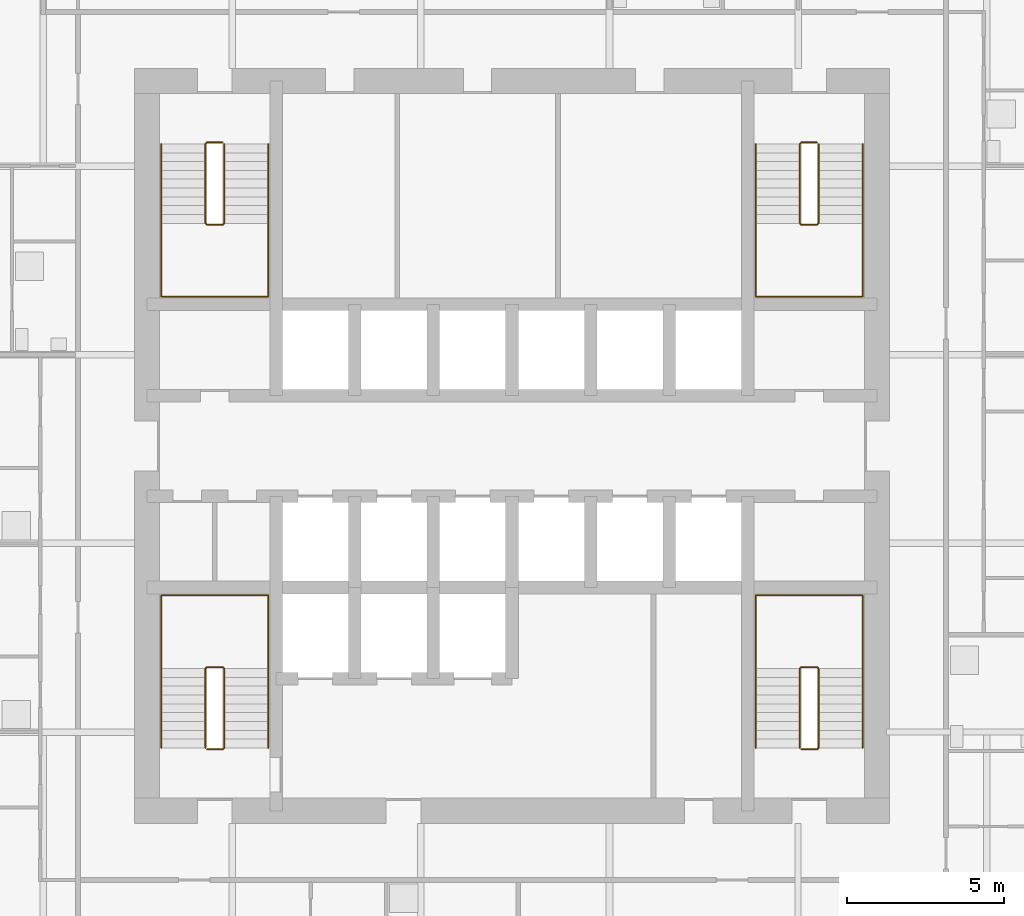
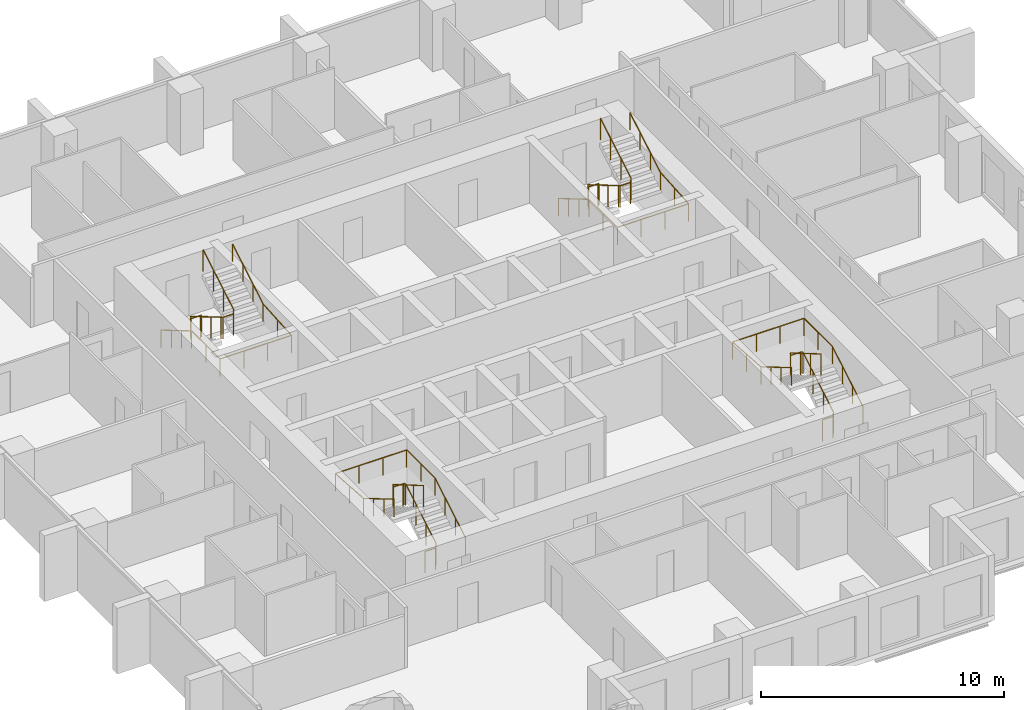
# One storey, part 9 of 10: 8 railings.
"""IFC4 building model written with IfcOpenShell, lengths in metres."""

from ifc_helpers import new_model, si_unit, direction, frame, origin, origin_2d, place, context, subcontext, project, spatial, circle, extrude, material, type_object, element, save


model = new_model("IFC4")

# Units and contexts
model_context = context("Model", 3, precision=1e-05, world=origin(), true_north=direction((0.0, 1.0)))
body_context = subcontext(model_context, "Body", "Model", "MODEL_VIEW")
ifc_project = project(units=[si_unit("LENGTHUNIT", "METRE"), si_unit("AREAUNIT", "SQUARE_METRE"), si_unit("VOLUMEUNIT", "CUBIC_METRE"), si_unit("PLANEANGLEUNIT", "RADIAN"), si_unit("MASSUNIT", "GRAM", prefix="KILO")], contexts=[model_context])

# Site, building, storey
site_placement = place(None, origin())
site = spatial("IfcSite", under=ifc_project, at=site_placement, CompositionType="ELEMENT")
building_placement = place(site_placement, origin())
building = spatial("IfcBuilding", under=site, at=building_placement, Name="Amberfall Residences", CompositionType="ELEMENT")
storey_placement = place(building_placement, frame((0.0, 0.0, 82.0)))
storey = spatial("IfcBuildingStorey", under=building, at=storey_placement, Name="L21", CompositionType="ELEMENT", Elevation=82.0)

# Railings
ifc_material = material(Name="Stainless steel 316", Category="steel")
railing_type_1 = type_object("IfcRailingType", Name="Stair guard 1100", PredefinedType="GUARDRAIL", material=ifc_material)
railing_1_placement = place(storey_placement, frame((64.800048828125, 35.85009765625, 0.0)))
element("IfcRailing", 1, at=railing_1_placement, inside=storey, type_object=railing_type_1, Name="L21 stair 1 guard", PredefinedType="GUARDRAIL", context=body_context, shape_type="SweptSolid", body=[
    extrude(circle(Radius=0.02392578125, at=origin_2d()), frame((0.0, 0.0, 1.076171875), z_axis=(1.0, 0.0, 0.0), x_axis=(0.0, 1.0, 0.0)), (0.0, 0.0, 1.0), 0.5),
    extrude(circle(Radius=0.02392578125, at=origin_2d()), frame((0.5, 0.0, 1.076171875), z_axis=(0.278810427259, 0.277450376394, 0.919394384522), x_axis=(-0.705375805398, 0.708833529934, 0.0)), (0.0, 0.0, 1.0), 0.179443359375),
    extrude(circle(Radius=0.02392578125, at=origin_2d()), frame((0.550048828125, 0.0498046875, 1.2412109375), z_axis=(0.0, 0.861560626758, 0.507654692109), x_axis=(-1.0, 0.0, 0.0)), (0.0, 0.0, 1.0), 2.925048828125),
    extrude(circle(Radius=0.02392578125, at=origin_2d()), frame((0.550048828125, 2.56982421875, 2.72607421875), z_axis=(-0.707106781187, 0.707106781187, 0.0), x_axis=(-0.707106781187, -0.707106781187, 0.0)), (0.0, 0.0, 1.0), 0.07080078125),
    extrude(circle(Radius=0.02392578125, at=origin_2d()), frame((0.5, 2.619873046875, 2.72607421875), z_axis=(-1.0, 0.0, 0.0), x_axis=(0.0, -1.0, 0.0)), (0.0, 0.0, 1.0), 0.5),
    extrude(circle(Radius=0.02392578125, at=origin_2d()), frame((0.0, 2.619873046875, 2.72607421875), z_axis=(-0.278705021027, -0.278705021027, 0.919046801044), x_axis=(0.707106781187, -0.707106781187, 0.0)), (0.0, 0.0, 1.0), 0.1796875),
    extrude(circle(Radius=0.02392578125, at=origin_2d()), frame((-0.050048828125, 2.56982421875, 2.89111328125), z_axis=(0.0, -0.86152411907, 0.507716645641), x_axis=(1.0, 0.0, 0.0)), (0.0, 0.0, 1.0), 2.925048828125),
    extrude(circle(Radius=0.02099609375, at=origin_2d()), origin(), (0.0, 0.0, 1.0), 1.052001953125),
    extrude(circle(Radius=0.02099609375, at=origin_2d()), frame((0.5, 0.0, 0.0)), (0.0, 0.0, 1.0), 1.052001953125),
    extrude(circle(Radius=0.02099609375, at=origin_2d()), frame((0.550048828125, 0.0498046875, 0.1650390625)), (0.0, 0.0, 1.0), 1.052001953125),
    extrude(circle(Radius=0.02099609375, at=origin_2d()), frame((0.550048828125, 0.889892578125, 0.659912109375)), (0.0, 0.0, 1.0), 1.052001953125),
    extrude(circle(Radius=0.02099609375, at=origin_2d()), frame((0.550048828125, 1.729736328125, 1.155029296875)), (0.0, 0.0, 1.0), 1.052001953125),
    extrude(circle(Radius=0.02099609375, at=origin_2d()), frame((0.550048828125, 2.56982421875, 1.64990234375)), (0.0, 0.0, 1.0), 1.052001953125),
    extrude(circle(Radius=0.02099609375, at=origin_2d()), frame((0.5, 2.619873046875, 1.64990234375)), (0.0, 0.0, 1.0), 1.052001953125),
    extrude(circle(Radius=0.02099609375, at=origin_2d()), frame((0.0, 2.619873046875, 1.64990234375)), (0.0, 0.0, 1.0), 1.052001953125),
    extrude(circle(Radius=0.02099609375, at=origin_2d()), frame((-0.050048828125, 2.56982421875, 1.81494140625)), (0.0, 0.0, 1.0), 1.052001953125),
    extrude(circle(Radius=0.02099609375, at=origin_2d()), frame((-0.050048828125, 1.729736328125, 2.31005859375)), (0.0, 0.0, 1.0), 1.052001953125),
    extrude(circle(Radius=0.02099609375, at=origin_2d()), frame((-0.050048828125, 0.889892578125, 2.804931640625)), (0.0, 0.0, 1.0), 1.052001953125),
    extrude(circle(Radius=0.02099609375, at=origin_2d()), frame((-0.050048828125, 0.0498046875, 3.300048828125)), (0.0, 0.0, 1.0), 1.052001953125),
])
railing_2_placement = place(storey_placement, frame((83.699951171875, 35.85009765625, 0.0)))
element("IfcRailing", 2, at=railing_2_placement, inside=storey, type_object=railing_type_1, Name="L21 stair 2 guard", PredefinedType="GUARDRAIL", context=body_context, shape_type="SweptSolid", body=[
    extrude(circle(Radius=0.02392578125, at=origin_2d()), frame((0.0, 0.0, 1.076171875), z_axis=(1.0, 0.0, 0.0), x_axis=(0.0, 1.0, 0.0)), (0.0, 0.0, 1.0), 0.5),
    extrude(circle(Radius=0.02392578125, at=origin_2d()), frame((0.5, 0.0, 1.076171875), z_axis=(0.278810427259, 0.277450376394, 0.919394384522), x_axis=(-0.705375805398, 0.708833529934, 0.0)), (0.0, 0.0, 1.0), 0.179443359375),
    extrude(circle(Radius=0.02392578125, at=origin_2d()), frame((0.550048828125, 0.0498046875, 1.2412109375), z_axis=(0.0, 0.861560626758, 0.507654692109), x_axis=(-1.0, 0.0, 0.0)), (0.0, 0.0, 1.0), 2.925048828125),
    extrude(circle(Radius=0.02392578125, at=origin_2d()), frame((0.550048828125, 2.56982421875, 2.72607421875), z_axis=(-0.707106781187, 0.707106781187, 0.0), x_axis=(-0.707106781187, -0.707106781187, 0.0)), (0.0, 0.0, 1.0), 0.07080078125),
    extrude(circle(Radius=0.02392578125, at=origin_2d()), frame((0.5, 2.619873046875, 2.72607421875), z_axis=(-1.0, 0.0, 0.0), x_axis=(0.0, -1.0, 0.0)), (0.0, 0.0, 1.0), 0.5),
    extrude(circle(Radius=0.02392578125, at=origin_2d()), frame((0.0, 2.619873046875, 2.72607421875), z_axis=(-0.278705021027, -0.278705021027, 0.919046801044), x_axis=(0.707106781187, -0.707106781187, 0.0)), (0.0, 0.0, 1.0), 0.1796875),
    extrude(circle(Radius=0.02392578125, at=origin_2d()), frame((-0.050048828125, 2.56982421875, 2.89111328125), z_axis=(0.0, -0.86152411907, 0.507716645641), x_axis=(1.0, 0.0, 0.0)), (0.0, 0.0, 1.0), 2.925048828125),
    extrude(circle(Radius=0.02099609375, at=origin_2d()), origin(), (0.0, 0.0, 1.0), 1.052001953125),
    extrude(circle(Radius=0.02099609375, at=origin_2d()), frame((0.5, 0.0, 0.0)), (0.0, 0.0, 1.0), 1.052001953125),
    extrude(circle(Radius=0.02099609375, at=origin_2d()), frame((0.550048828125, 0.0498046875, 0.1650390625)), (0.0, 0.0, 1.0), 1.052001953125),
    extrude(circle(Radius=0.02099609375, at=origin_2d()), frame((0.550048828125, 0.889892578125, 0.659912109375)), (0.0, 0.0, 1.0), 1.052001953125),
    extrude(circle(Radius=0.02099609375, at=origin_2d()), frame((0.550048828125, 1.729736328125, 1.155029296875)), (0.0, 0.0, 1.0), 1.052001953125),
    extrude(circle(Radius=0.02099609375, at=origin_2d()), frame((0.550048828125, 2.56982421875, 1.64990234375)), (0.0, 0.0, 1.0), 1.052001953125),
    extrude(circle(Radius=0.02099609375, at=origin_2d()), frame((0.5, 2.619873046875, 1.64990234375)), (0.0, 0.0, 1.0), 1.052001953125),
    extrude(circle(Radius=0.02099609375, at=origin_2d()), frame((0.0, 2.619873046875, 1.64990234375)), (0.0, 0.0, 1.0), 1.052001953125),
    extrude(circle(Radius=0.02099609375, at=origin_2d()), frame((-0.050048828125, 2.56982421875, 1.81494140625)), (0.0, 0.0, 1.0), 1.052001953125),
    extrude(circle(Radius=0.02099609375, at=origin_2d()), frame((-0.050048828125, 1.729736328125, 2.31005859375)), (0.0, 0.0, 1.0), 1.052001953125),
    extrude(circle(Radius=0.02099609375, at=origin_2d()), frame((-0.050048828125, 0.889892578125, 2.804931640625)), (0.0, 0.0, 1.0), 1.052001953125),
    extrude(circle(Radius=0.02099609375, at=origin_2d()), frame((-0.050048828125, 0.0498046875, 3.300048828125)), (0.0, 0.0, 1.0), 1.052001953125),
])
railing_3_placement = place(storey_placement, frame((84.199951171875, 55.14990234375, 0.0)))
element("IfcRailing", 3, at=railing_3_placement, inside=storey, type_object=railing_type_1, Name="L21 stair 3 guard", PredefinedType="GUARDRAIL", context=body_context, shape_type="SweptSolid", body=[
    extrude(circle(Radius=0.02392578125, at=origin_2d()), frame((0.0, 0.0, 1.076171875), z_axis=(-1.0, 0.0, 0.0), x_axis=(0.0, -1.0, 0.0)), (0.0, 0.0, 1.0), 0.5),
    extrude(circle(Radius=0.02392578125, at=origin_2d()), frame((-0.5, 0.0, 1.076171875), z_axis=(-0.278810427259, -0.277450376394, 0.919394384522), x_axis=(0.705375805398, -0.708833529934, 0.0)), (0.0, 0.0, 1.0), 0.179443359375),
    extrude(circle(Radius=0.02392578125, at=origin_2d()), frame((-0.550048828125, -0.0498046875, 1.2412109375), z_axis=(0.0, -0.861560626758, 0.507654692109), x_axis=(1.0, 0.0, 0.0)), (0.0, 0.0, 1.0), 2.925048828125),
    extrude(circle(Radius=0.02392578125, at=origin_2d()), frame((-0.550048828125, -2.56982421875, 2.72607421875), z_axis=(0.707106781187, -0.707106781187, 0.0), x_axis=(0.707106781187, 0.707106781187, 0.0)), (0.0, 0.0, 1.0), 0.07080078125),
    extrude(circle(Radius=0.02392578125, at=origin_2d()), frame((-0.5, -2.619873046875, 2.72607421875), z_axis=(1.0, 0.0, 0.0), x_axis=(0.0, 1.0, 0.0)), (0.0, 0.0, 1.0), 0.5),
    extrude(circle(Radius=0.02392578125, at=origin_2d()), frame((0.0, -2.619873046875, 2.72607421875), z_axis=(0.278705021027, 0.278705021027, 0.919046801044), x_axis=(-0.707106781187, 0.707106781187, 0.0)), (0.0, 0.0, 1.0), 0.1796875),
    extrude(circle(Radius=0.02392578125, at=origin_2d()), frame((0.050048828125, -2.56982421875, 2.89111328125), z_axis=(0.0, 0.86152411907, 0.507716645641), x_axis=(-1.0, 0.0, 0.0)), (0.0, 0.0, 1.0), 2.925048828125),
    extrude(circle(Radius=0.02099609375, at=origin_2d()), origin(), (0.0, 0.0, 1.0), 1.052001953125),
    extrude(circle(Radius=0.02099609375, at=origin_2d()), frame((-0.5, 0.0, 0.0)), (0.0, 0.0, 1.0), 1.052001953125),
    extrude(circle(Radius=0.02099609375, at=origin_2d()), frame((-0.550048828125, -0.0498046875, 0.1650390625)), (0.0, 0.0, 1.0), 1.052001953125),
    extrude(circle(Radius=0.02099609375, at=origin_2d()), frame((-0.550048828125, -0.889892578125, 0.659912109375)), (0.0, 0.0, 1.0), 1.052001953125),
    extrude(circle(Radius=0.02099609375, at=origin_2d()), frame((-0.550048828125, -1.729736328125, 1.155029296875)), (0.0, 0.0, 1.0), 1.052001953125),
    extrude(circle(Radius=0.02099609375, at=origin_2d()), frame((-0.550048828125, -2.56982421875, 1.64990234375)), (0.0, 0.0, 1.0), 1.052001953125),
    extrude(circle(Radius=0.02099609375, at=origin_2d()), frame((-0.5, -2.619873046875, 1.64990234375)), (0.0, 0.0, 1.0), 1.052001953125),
    extrude(circle(Radius=0.02099609375, at=origin_2d()), frame((0.0, -2.619873046875, 1.64990234375)), (0.0, 0.0, 1.0), 1.052001953125),
    extrude(circle(Radius=0.02099609375, at=origin_2d()), frame((0.050048828125, -2.56982421875, 1.81494140625)), (0.0, 0.0, 1.0), 1.052001953125),
    extrude(circle(Radius=0.02099609375, at=origin_2d()), frame((0.050048828125, -1.729736328125, 2.31005859375)), (0.0, 0.0, 1.0), 1.052001953125),
    extrude(circle(Radius=0.02099609375, at=origin_2d()), frame((0.050048828125, -0.889892578125, 2.804931640625)), (0.0, 0.0, 1.0), 1.052001953125),
    extrude(circle(Radius=0.02099609375, at=origin_2d()), frame((0.050048828125, -0.0498046875, 3.300048828125)), (0.0, 0.0, 1.0), 1.052001953125),
])
railing_4_placement = place(storey_placement, frame((65.300048828125, 55.14990234375, 0.0)))
element("IfcRailing", 4, at=railing_4_placement, inside=storey, type_object=railing_type_1, Name="L21 stair 4 guard", PredefinedType="GUARDRAIL", context=body_context, shape_type="SweptSolid", body=[
    extrude(circle(Radius=0.02392578125, at=origin_2d()), frame((0.0, 0.0, 1.076171875), z_axis=(-1.0, 0.0, 0.0), x_axis=(0.0, -1.0, 0.0)), (0.0, 0.0, 1.0), 0.5),
    extrude(circle(Radius=0.02392578125, at=origin_2d()), frame((-0.5, 0.0, 1.076171875), z_axis=(-0.278810427259, -0.277450376394, 0.919394384522), x_axis=(0.705375805398, -0.708833529934, 0.0)), (0.0, 0.0, 1.0), 0.179443359375),
    extrude(circle(Radius=0.02392578125, at=origin_2d()), frame((-0.550048828125, -0.0498046875, 1.2412109375), z_axis=(0.0, -0.861560626758, 0.507654692109), x_axis=(1.0, 0.0, 0.0)), (0.0, 0.0, 1.0), 2.925048828125),
    extrude(circle(Radius=0.02392578125, at=origin_2d()), frame((-0.550048828125, -2.56982421875, 2.72607421875), z_axis=(0.707106781187, -0.707106781187, 0.0), x_axis=(0.707106781187, 0.707106781187, 0.0)), (0.0, 0.0, 1.0), 0.07080078125),
    extrude(circle(Radius=0.02392578125, at=origin_2d()), frame((-0.5, -2.619873046875, 2.72607421875), z_axis=(1.0, 0.0, 0.0), x_axis=(0.0, 1.0, 0.0)), (0.0, 0.0, 1.0), 0.5),
    extrude(circle(Radius=0.02392578125, at=origin_2d()), frame((0.0, -2.619873046875, 2.72607421875), z_axis=(0.278705021027, 0.278705021027, 0.919046801044), x_axis=(-0.707106781187, 0.707106781187, 0.0)), (0.0, 0.0, 1.0), 0.1796875),
    extrude(circle(Radius=0.02392578125, at=origin_2d()), frame((0.050048828125, -2.56982421875, 2.89111328125), z_axis=(0.0, 0.86152411907, 0.507716645641), x_axis=(-1.0, 0.0, 0.0)), (0.0, 0.0, 1.0), 2.925048828125),
    extrude(circle(Radius=0.02099609375, at=origin_2d()), origin(), (0.0, 0.0, 1.0), 1.052001953125),
    extrude(circle(Radius=0.02099609375, at=origin_2d()), frame((-0.5, 0.0, 0.0)), (0.0, 0.0, 1.0), 1.052001953125),
    extrude(circle(Radius=0.02099609375, at=origin_2d()), frame((-0.550048828125, -0.0498046875, 0.1650390625)), (0.0, 0.0, 1.0), 1.052001953125),
    extrude(circle(Radius=0.02099609375, at=origin_2d()), frame((-0.550048828125, -0.889892578125, 0.659912109375)), (0.0, 0.0, 1.0), 1.052001953125),
    extrude(circle(Radius=0.02099609375, at=origin_2d()), frame((-0.550048828125, -1.729736328125, 1.155029296875)), (0.0, 0.0, 1.0), 1.052001953125),
    extrude(circle(Radius=0.02099609375, at=origin_2d()), frame((-0.550048828125, -2.56982421875, 1.64990234375)), (0.0, 0.0, 1.0), 1.052001953125),
    extrude(circle(Radius=0.02099609375, at=origin_2d()), frame((-0.5, -2.619873046875, 1.64990234375)), (0.0, 0.0, 1.0), 1.052001953125),
    extrude(circle(Radius=0.02099609375, at=origin_2d()), frame((0.0, -2.619873046875, 1.64990234375)), (0.0, 0.0, 1.0), 1.052001953125),
    extrude(circle(Radius=0.02099609375, at=origin_2d()), frame((0.050048828125, -2.56982421875, 1.81494140625)), (0.0, 0.0, 1.0), 1.052001953125),
    extrude(circle(Radius=0.02099609375, at=origin_2d()), frame((0.050048828125, -1.729736328125, 2.31005859375)), (0.0, 0.0, 1.0), 1.052001953125),
    extrude(circle(Radius=0.02099609375, at=origin_2d()), frame((0.050048828125, -0.889892578125, 2.804931640625)), (0.0, 0.0, 1.0), 1.052001953125),
    extrude(circle(Radius=0.02099609375, at=origin_2d()), frame((0.050048828125, -0.0498046875, 3.300048828125)), (0.0, 0.0, 1.0), 1.052001953125),
])
railing_type_2 = type_object("IfcRailingType", Name="Stair handrail 900", PredefinedType="HANDRAIL", material=ifc_material)
railing_5_placement = place(storey_placement, frame((66.75, 35.89990234375, 0.1650390625)))
element("IfcRailing", 5, at=railing_5_placement, inside=storey, type_object=railing_type_2, Name="L21 stair 1 handrail", PredefinedType="HANDRAIL", context=body_context, shape_type="SweptSolid", body=[
    extrude(circle(Radius=0.02392578125, at=origin_2d()), frame((0.0, 0.0, 0.8759765625), z_axis=(0.0, 0.861560626758, 0.507654692109), x_axis=(-1.0, 0.0, 0.0)), (0.0, 0.0, 1.0), 2.925048828125),
    extrude(circle(Radius=0.02392578125, at=origin_2d()), frame((0.0, 2.52001953125, 2.36083984375), z_axis=(0.0, 1.0, 0.0), x_axis=(-1.0, 0.0, 0.0)), (0.0, 0.0, 1.0), 2.330078125),
    extrude(circle(Radius=0.02392578125, at=origin_2d()), frame((0.0, 4.85009765625, 2.36083984375), z_axis=(-1.0, 0.0, 0.0), x_axis=(0.0, -1.0, 0.0)), (0.0, 0.0, 1.0), 3.39990234375),
    extrude(circle(Radius=0.02392578125, at=origin_2d()), frame((-3.39990234375, 4.85009765625, 2.36083984375), z_axis=(0.0, -0.997500965899, 0.07065283455), x_axis=(1.0, 0.0, 0.0)), (0.0, 0.0, 1.0), 2.3359375),
    extrude(circle(Radius=0.02392578125, at=origin_2d()), frame((-3.39990234375, 2.52001953125, 2.52587890625), z_axis=(0.0, -0.86152411907, 0.507716645641), x_axis=(1.0, 0.0, 0.0)), (0.0, 0.0, 1.0), 2.925048828125),
    extrude(circle(Radius=0.02099609375, at=origin_2d()), origin(), (0.0, 0.0, 1.0), 0.851806640625),
    extrude(circle(Radius=0.02099609375, at=origin_2d()), frame((0.0, 0.840087890625, 0.494873046875)), (0.0, 0.0, 1.0), 0.851806640625),
    extrude(circle(Radius=0.02099609375, at=origin_2d()), frame((0.0, 1.679931640625, 0.989990234375)), (0.0, 0.0, 1.0), 0.851806640625),
    extrude(circle(Radius=0.02099609375, at=origin_2d()), frame((0.0, 2.52001953125, 1.48486328125)), (0.0, 0.0, 1.0), 0.851806640625),
    extrude(circle(Radius=0.02099609375, at=origin_2d()), frame((0.0, 3.68505859375, 1.48486328125)), (0.0, 0.0, 1.0), 0.851806640625),
    extrude(circle(Radius=0.02099609375, at=origin_2d()), frame((0.0, 4.85009765625, 1.48486328125)), (0.0, 0.0, 1.0), 0.851806640625),
    extrude(circle(Radius=0.02099609375, at=origin_2d()), frame((-1.13330078125, 4.85009765625, 1.48486328125)), (0.0, 0.0, 1.0), 0.851806640625),
    extrude(circle(Radius=0.02099609375, at=origin_2d()), frame((-2.2666015625, 4.85009765625, 1.48486328125)), (0.0, 0.0, 1.0), 0.851806640625),
    extrude(circle(Radius=0.02099609375, at=origin_2d()), frame((-3.39990234375, 4.85009765625, 1.48486328125)), (0.0, 0.0, 1.0), 0.851806640625),
    extrude(circle(Radius=0.02099609375, at=origin_2d()), frame((-3.39990234375, 3.68505859375, 1.5673828125)), (0.0, 0.0, 1.0), 0.851806640625),
    extrude(circle(Radius=0.02099609375, at=origin_2d()), frame((-3.39990234375, 2.52001953125, 1.64990234375)), (0.0, 0.0, 1.0), 0.851806640625),
    extrude(circle(Radius=0.02099609375, at=origin_2d()), frame((-3.39990234375, 1.679931640625, 2.14501953125)), (0.0, 0.0, 1.0), 0.851806640625),
    extrude(circle(Radius=0.02099609375, at=origin_2d()), frame((-3.39990234375, 0.840087890625, 2.639892578125)), (0.0, 0.0, 1.0), 0.851806640625),
    extrude(circle(Radius=0.02099609375, at=origin_2d()), frame((-3.39990234375, 0.0, 3.135009765625)), (0.0, 0.0, 1.0), 0.851806640625),
])
railing_6_placement = place(storey_placement, frame((85.64990234375, 35.89990234375, 0.1650390625)))
element("IfcRailing", 6, at=railing_6_placement, inside=storey, type_object=railing_type_2, Name="L21 stair 2 handrail", PredefinedType="HANDRAIL", context=body_context, shape_type="SweptSolid", body=[
    extrude(circle(Radius=0.02392578125, at=origin_2d()), frame((0.0, 0.0, 0.8759765625), z_axis=(0.0, 0.861560626758, 0.507654692109), x_axis=(-1.0, 0.0, 0.0)), (0.0, 0.0, 1.0), 2.925048828125),
    extrude(circle(Radius=0.02392578125, at=origin_2d()), frame((0.0, 2.52001953125, 2.36083984375), z_axis=(0.0, 1.0, 0.0), x_axis=(-1.0, 0.0, 0.0)), (0.0, 0.0, 1.0), 2.330078125),
    extrude(circle(Radius=0.02392578125, at=origin_2d()), frame((0.0, 4.85009765625, 2.36083984375), z_axis=(-1.0, 0.0, 0.0), x_axis=(0.0, -1.0, 0.0)), (0.0, 0.0, 1.0), 3.39990234375),
    extrude(circle(Radius=0.02392578125, at=origin_2d()), frame((-3.39990234375, 4.85009765625, 2.36083984375), z_axis=(0.0, -0.997500965899, 0.07065283455), x_axis=(1.0, 0.0, 0.0)), (0.0, 0.0, 1.0), 2.3359375),
    extrude(circle(Radius=0.02392578125, at=origin_2d()), frame((-3.39990234375, 2.52001953125, 2.52587890625), z_axis=(0.0, -0.86152411907, 0.507716645641), x_axis=(1.0, 0.0, 0.0)), (0.0, 0.0, 1.0), 2.925048828125),
    extrude(circle(Radius=0.02099609375, at=origin_2d()), origin(), (0.0, 0.0, 1.0), 0.851806640625),
    extrude(circle(Radius=0.02099609375, at=origin_2d()), frame((0.0, 0.840087890625, 0.494873046875)), (0.0, 0.0, 1.0), 0.851806640625),
    extrude(circle(Radius=0.02099609375, at=origin_2d()), frame((0.0, 1.679931640625, 0.989990234375)), (0.0, 0.0, 1.0), 0.851806640625),
    extrude(circle(Radius=0.02099609375, at=origin_2d()), frame((0.0, 2.52001953125, 1.48486328125)), (0.0, 0.0, 1.0), 0.851806640625),
    extrude(circle(Radius=0.02099609375, at=origin_2d()), frame((0.0, 3.68505859375, 1.48486328125)), (0.0, 0.0, 1.0), 0.851806640625),
    extrude(circle(Radius=0.02099609375, at=origin_2d()), frame((0.0, 4.85009765625, 1.48486328125)), (0.0, 0.0, 1.0), 0.851806640625),
    extrude(circle(Radius=0.02099609375, at=origin_2d()), frame((-1.13330078125, 4.85009765625, 1.48486328125)), (0.0, 0.0, 1.0), 0.851806640625),
    extrude(circle(Radius=0.02099609375, at=origin_2d()), frame((-2.2666015625, 4.85009765625, 1.48486328125)), (0.0, 0.0, 1.0), 0.851806640625),
    extrude(circle(Radius=0.02099609375, at=origin_2d()), frame((-3.39990234375, 4.85009765625, 1.48486328125)), (0.0, 0.0, 1.0), 0.851806640625),
    extrude(circle(Radius=0.02099609375, at=origin_2d()), frame((-3.39990234375, 3.68505859375, 1.5673828125)), (0.0, 0.0, 1.0), 0.851806640625),
    extrude(circle(Radius=0.02099609375, at=origin_2d()), frame((-3.39990234375, 2.52001953125, 1.64990234375)), (0.0, 0.0, 1.0), 0.851806640625),
    extrude(circle(Radius=0.02099609375, at=origin_2d()), frame((-3.39990234375, 1.679931640625, 2.14501953125)), (0.0, 0.0, 1.0), 0.851806640625),
    extrude(circle(Radius=0.02099609375, at=origin_2d()), frame((-3.39990234375, 0.840087890625, 2.639892578125)), (0.0, 0.0, 1.0), 0.851806640625),
    extrude(circle(Radius=0.02099609375, at=origin_2d()), frame((-3.39990234375, 0.0, 3.135009765625)), (0.0, 0.0, 1.0), 0.851806640625),
])
railing_7_placement = place(storey_placement, frame((82.25, 55.10009765625, 0.1650390625)))
element("IfcRailing", 7, at=railing_7_placement, inside=storey, type_object=railing_type_2, Name="L21 stair 3 handrail", PredefinedType="HANDRAIL", context=body_context, shape_type="SweptSolid", body=[
    extrude(circle(Radius=0.02392578125, at=origin_2d()), frame((0.0, 0.0, 0.8759765625), z_axis=(0.0, -0.861560626758, 0.507654692109), x_axis=(1.0, 0.0, 0.0)), (0.0, 0.0, 1.0), 2.925048828125),
    extrude(circle(Radius=0.02392578125, at=origin_2d()), frame((0.0, -2.52001953125, 2.36083984375), z_axis=(0.0, -1.0, 0.0), x_axis=(1.0, 0.0, 0.0)), (0.0, 0.0, 1.0), 2.330078125),
    extrude(circle(Radius=0.02392578125, at=origin_2d()), frame((0.0, -4.85009765625, 2.36083984375), z_axis=(1.0, 0.0, 0.0), x_axis=(0.0, 1.0, 0.0)), (0.0, 0.0, 1.0), 3.39990234375),
    extrude(circle(Radius=0.02392578125, at=origin_2d()), frame((3.39990234375, -4.85009765625, 2.36083984375), z_axis=(0.0, 0.997500965899, 0.07065283455), x_axis=(-1.0, 0.0, 0.0)), (0.0, 0.0, 1.0), 2.3359375),
    extrude(circle(Radius=0.02392578125, at=origin_2d()), frame((3.39990234375, -2.52001953125, 2.52587890625), z_axis=(0.0, 0.86152411907, 0.507716645641), x_axis=(-1.0, 0.0, 0.0)), (0.0, 0.0, 1.0), 2.925048828125),
    extrude(circle(Radius=0.02099609375, at=origin_2d()), origin(), (0.0, 0.0, 1.0), 0.851806640625),
    extrude(circle(Radius=0.02099609375, at=origin_2d()), frame((0.0, -0.840087890625, 0.494873046875)), (0.0, 0.0, 1.0), 0.851806640625),
    extrude(circle(Radius=0.02099609375, at=origin_2d()), frame((0.0, -1.679931640625, 0.989990234375)), (0.0, 0.0, 1.0), 0.851806640625),
    extrude(circle(Radius=0.02099609375, at=origin_2d()), frame((0.0, -2.52001953125, 1.48486328125)), (0.0, 0.0, 1.0), 0.851806640625),
    extrude(circle(Radius=0.02099609375, at=origin_2d()), frame((0.0, -3.68505859375, 1.48486328125)), (0.0, 0.0, 1.0), 0.851806640625),
    extrude(circle(Radius=0.02099609375, at=origin_2d()), frame((0.0, -4.85009765625, 1.48486328125)), (0.0, 0.0, 1.0), 0.851806640625),
    extrude(circle(Radius=0.02099609375, at=origin_2d()), frame((1.13330078125, -4.85009765625, 1.48486328125)), (0.0, 0.0, 1.0), 0.851806640625),
    extrude(circle(Radius=0.02099609375, at=origin_2d()), frame((2.2666015625, -4.85009765625, 1.48486328125)), (0.0, 0.0, 1.0), 0.851806640625),
    extrude(circle(Radius=0.02099609375, at=origin_2d()), frame((3.39990234375, -4.85009765625, 1.48486328125)), (0.0, 0.0, 1.0), 0.851806640625),
    extrude(circle(Radius=0.02099609375, at=origin_2d()), frame((3.39990234375, -3.68505859375, 1.5673828125)), (0.0, 0.0, 1.0), 0.851806640625),
    extrude(circle(Radius=0.02099609375, at=origin_2d()), frame((3.39990234375, -2.52001953125, 1.64990234375)), (0.0, 0.0, 1.0), 0.851806640625),
    extrude(circle(Radius=0.02099609375, at=origin_2d()), frame((3.39990234375, -1.679931640625, 2.14501953125)), (0.0, 0.0, 1.0), 0.851806640625),
    extrude(circle(Radius=0.02099609375, at=origin_2d()), frame((3.39990234375, -0.840087890625, 2.639892578125)), (0.0, 0.0, 1.0), 0.851806640625),
    extrude(circle(Radius=0.02099609375, at=origin_2d()), frame((3.39990234375, 0.0, 3.135009765625)), (0.0, 0.0, 1.0), 0.851806640625),
])
railing_8_placement = place(storey_placement, frame((63.35009765625, 55.10009765625, 0.1650390625)))
element("IfcRailing", 8, at=railing_8_placement, inside=storey, type_object=railing_type_2, Name="L21 stair 4 handrail", PredefinedType="HANDRAIL", context=body_context, shape_type="SweptSolid", body=[
    extrude(circle(Radius=0.02392578125, at=origin_2d()), frame((0.0, 0.0, 0.8759765625), z_axis=(0.0, -0.861560626758, 0.507654692109), x_axis=(1.0, 0.0, 0.0)), (0.0, 0.0, 1.0), 2.925048828125),
    extrude(circle(Radius=0.02392578125, at=origin_2d()), frame((0.0, -2.52001953125, 2.36083984375), z_axis=(0.0, -1.0, 0.0), x_axis=(1.0, 0.0, 0.0)), (0.0, 0.0, 1.0), 2.330078125),
    extrude(circle(Radius=0.02392578125, at=origin_2d()), frame((0.0, -4.85009765625, 2.36083984375), z_axis=(1.0, 0.0, 0.0), x_axis=(0.0, 1.0, 0.0)), (0.0, 0.0, 1.0), 3.39990234375),
    extrude(circle(Radius=0.02392578125, at=origin_2d()), frame((3.39990234375, -4.85009765625, 2.36083984375), z_axis=(0.0, 0.997500965899, 0.07065283455), x_axis=(-1.0, 0.0, 0.0)), (0.0, 0.0, 1.0), 2.3359375),
    extrude(circle(Radius=0.02392578125, at=origin_2d()), frame((3.39990234375, -2.52001953125, 2.52587890625), z_axis=(0.0, 0.86152411907, 0.507716645641), x_axis=(-1.0, 0.0, 0.0)), (0.0, 0.0, 1.0), 2.925048828125),
    extrude(circle(Radius=0.02099609375, at=origin_2d()), origin(), (0.0, 0.0, 1.0), 0.851806640625),
    extrude(circle(Radius=0.02099609375, at=origin_2d()), frame((0.0, -0.840087890625, 0.494873046875)), (0.0, 0.0, 1.0), 0.851806640625),
    extrude(circle(Radius=0.02099609375, at=origin_2d()), frame((0.0, -1.679931640625, 0.989990234375)), (0.0, 0.0, 1.0), 0.851806640625),
    extrude(circle(Radius=0.02099609375, at=origin_2d()), frame((0.0, -2.52001953125, 1.48486328125)), (0.0, 0.0, 1.0), 0.851806640625),
    extrude(circle(Radius=0.02099609375, at=origin_2d()), frame((0.0, -3.68505859375, 1.48486328125)), (0.0, 0.0, 1.0), 0.851806640625),
    extrude(circle(Radius=0.02099609375, at=origin_2d()), frame((0.0, -4.85009765625, 1.48486328125)), (0.0, 0.0, 1.0), 0.851806640625),
    extrude(circle(Radius=0.02099609375, at=origin_2d()), frame((1.13330078125, -4.85009765625, 1.48486328125)), (0.0, 0.0, 1.0), 0.851806640625),
    extrude(circle(Radius=0.02099609375, at=origin_2d()), frame((2.2666015625, -4.85009765625, 1.48486328125)), (0.0, 0.0, 1.0), 0.851806640625),
    extrude(circle(Radius=0.02099609375, at=origin_2d()), frame((3.39990234375, -4.85009765625, 1.48486328125)), (0.0, 0.0, 1.0), 0.851806640625),
    extrude(circle(Radius=0.02099609375, at=origin_2d()), frame((3.39990234375, -3.68505859375, 1.5673828125)), (0.0, 0.0, 1.0), 0.851806640625),
    extrude(circle(Radius=0.02099609375, at=origin_2d()), frame((3.39990234375, -2.52001953125, 1.64990234375)), (0.0, 0.0, 1.0), 0.851806640625),
    extrude(circle(Radius=0.02099609375, at=origin_2d()), frame((3.39990234375, -1.679931640625, 2.14501953125)), (0.0, 0.0, 1.0), 0.851806640625),
    extrude(circle(Radius=0.02099609375, at=origin_2d()), frame((3.39990234375, -0.840087890625, 2.639892578125)), (0.0, 0.0, 1.0), 0.851806640625),
    extrude(circle(Radius=0.02099609375, at=origin_2d()), frame((3.39990234375, 0.0, 3.135009765625)), (0.0, 0.0, 1.0), 0.851806640625),
])

save(model, "model.ifc")
